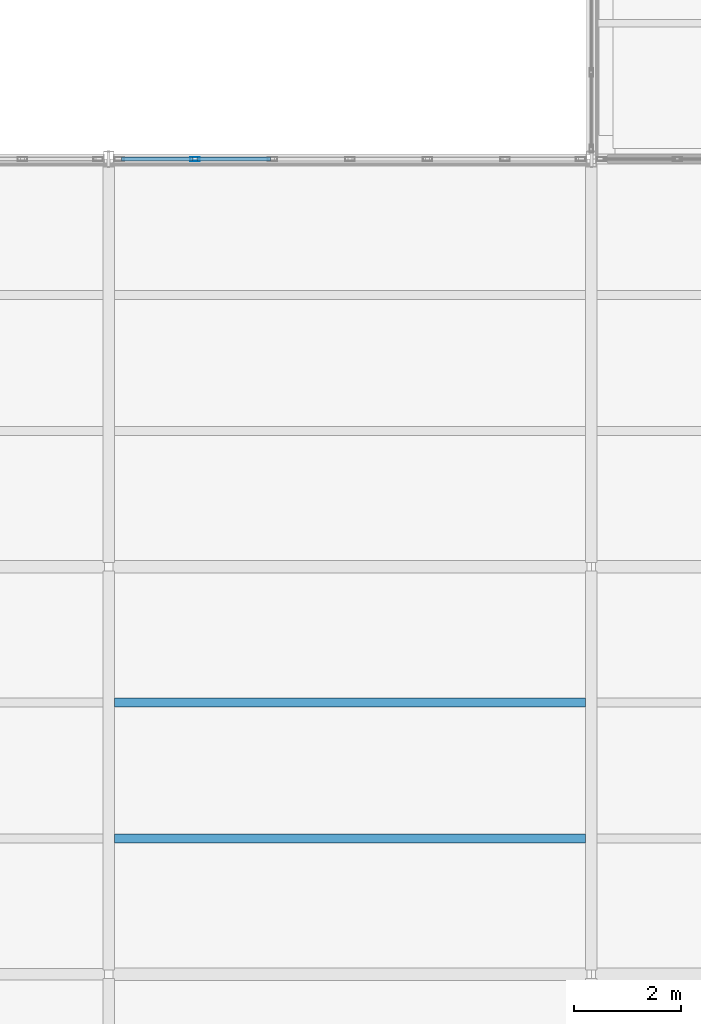
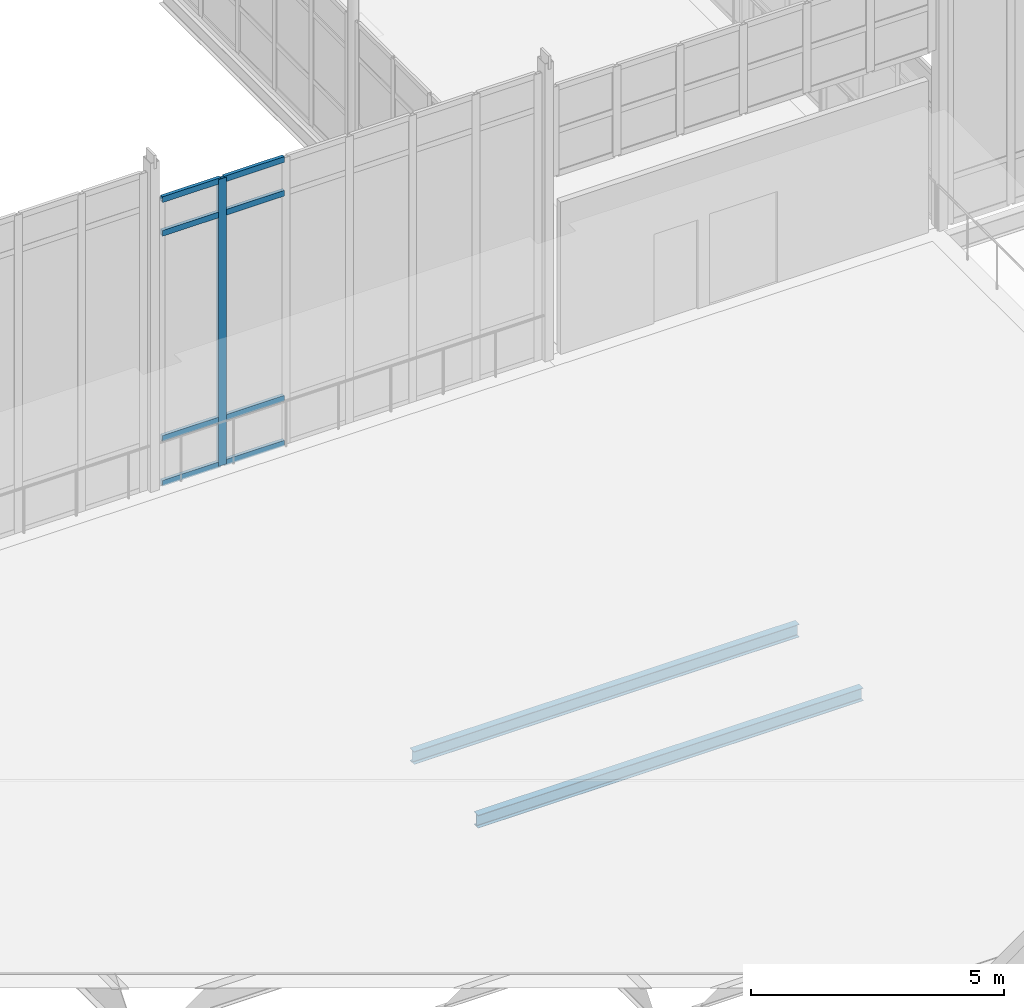
# One storey, part 52 of 166: 9 members, 2 beams, 1 element without a shape of its own.
"""IFC4 building model written with IfcOpenShell, lengths in metres."""

import ifcopenshell
import ifcopenshell.guid

model = None  # the IFC model being written
_history = None  # IfcOwnerHistory: only IFC2X3 demands one
_inside = {}  # id of a spatial element -> (the spatial element, [elements in it])
_under = {}  # id of a project, library or spatial element -> (it, [spatial elements below it])
_declared = {}  # id of a project -> (the project, [libraries it declares])
_typed = {}  # id of a type object -> (the type object, [elements of that type])
_made_of = {}  # id of a material, layer set ... -> (it, [elements and type objects made of it])


def new_model(schema):
    """Start an empty IFC model of exactly this schema.

    Asked for "IFC4X3", IfcOpenShell would pick the latest addendum, in which some entities
    have other attributes; the version numbers below select the first issue.
    IFC2X3 requires an IfcOwnerHistory on every rooted entity: one is made here for all.
    """
    global model, _history
    if schema == "IFC4X3":
        model = ifcopenshell.file(schema_version=(4, 3, 0, 0))
    else:
        model = ifcopenshell.file(schema=schema)
    _inside.clear()
    _under.clear()
    _declared.clear()
    _typed.clear()
    _made_of.clear()
    _history = None
    if model.schema == "IFC2X3":
        org = make("IfcOrganization", Name="unknown")
        user = make(
            "IfcPersonAndOrganization",
            ThePerson=make("IfcPerson", FamilyName="unknown"),
            TheOrganization=org,
        )
        app = make(
            "IfcApplication",
            ApplicationDeveloper=org,
            Version="unknown",
            ApplicationFullName="unknown",
            ApplicationIdentifier="unknown",
        )
        _history = make(
            "IfcOwnerHistory",
            OwningUser=user,
            OwningApplication=app,
            ChangeAction="ADDED",
            CreationDate=0,
        )
    return model


def make(cls, **values):
    """One entity of the class cls with the attributes given. An attribute that is None is left unset."""
    return model.create_entity(
        cls, **{name: value for name, value in values.items() if value is not None}
    )


def rooted(cls, **values):
    """An entity with a GlobalId (a new one), such as an element, a storey or a relation."""
    return make(cls, GlobalId=ifcopenshell.guid.new(), OwnerHistory=_history, **values)


def si_unit(unit_type, name, prefix=None):
    """IfcSIUnit, for example si_unit("LENGTHUNIT", "METRE", prefix="MILLI")."""
    return make("IfcSIUnit", UnitType=unit_type, Prefix=prefix, Name=name)


def assignment(units):
    """IfcUnitAssignment: the units of a project."""
    return None if units is None else make("IfcUnitAssignment", Units=units)


def point(xyz):
    """IfcCartesianPoint."""
    return None if xyz is None else make("IfcCartesianPoint", Coordinates=xyz)


def direction(xyz):
    """IfcDirection."""
    return None if xyz is None else make("IfcDirection", DirectionRatios=xyz)


def frame(location, z_axis=None, x_axis=None):
    """IfcAxis2Placement3D, a coordinate frame: its origin and axes. An axis left out is left unset."""
    return make(
        "IfcAxis2Placement3D",
        Location=point(location),
        Axis=direction(z_axis),
        RefDirection=direction(x_axis),
    )


def frame_2d(location, x_axis=None):
    """IfcAxis2Placement2D, a coordinate frame in the plane: its origin and x axis."""
    return make(
        "IfcAxis2Placement2D", Location=point(location), RefDirection=direction(x_axis)
    )


def origin():
    """The frame at (0, 0, 0) with its axes left unset."""
    return frame((0.0, 0.0, 0.0))


def origin_2d():
    """The frame at (0, 0) in the plane with its x axis left unset."""
    return frame_2d((0.0, 0.0))


def place(relative_to, where):
    """IfcLocalPlacement: puts the frame where relative to a parent placement (None: the world)."""
    return make(
        "IfcLocalPlacement", PlacementRelTo=relative_to, RelativePlacement=where
    )


def context(
    kind, dimensions, precision=None, world=None, true_north=None, identifier=None
):
    """IfcGeometricRepresentationContext, for example the 3D "Model" context."""
    return make(
        "IfcGeometricRepresentationContext",
        ContextIdentifier=identifier,
        ContextType=kind,
        CoordinateSpaceDimension=dimensions,
        Precision=precision,
        WorldCoordinateSystem=world,
        TrueNorth=true_north,
    )


def subcontext(parent, identifier, kind, view, scale=None):
    """IfcGeometricRepresentationSubContext, for example "Body" below "Model"."""
    return make(
        "IfcGeometricRepresentationSubContext",
        ContextIdentifier=identifier,
        ContextType=kind,
        ParentContext=parent,
        TargetScale=scale,
        TargetView=view,
    )


def project(units=None, contexts=None):
    """IfcProject with its units and contexts."""
    return rooted(
        "IfcProject",
        Name="project",
        RepresentationContexts=contexts,
        UnitsInContext=assignment(units),
    )


def spatial(cls, under=None, at=None, **own):
    """A site, building, storey or space (cls), placed at a placement, below another one or the project."""
    s = rooted(cls, ObjectPlacement=at, **own)
    if under is not None:
        _under.setdefault(under.id(), (under, []))[1].append(s)
    return s


def profile(cls, at=None, kind="AREA", **sizes):
    """A parametric profile (cls). Its sizes go by their IFC names, for example OverallWidth=200.0."""
    return make(cls, ProfileType=kind, Position=at, **sizes)


def hollow_rectangle(**sizes):
    """IfcRectangleHollowProfileDef."""
    return profile("IfcRectangleHollowProfileDef", **sizes)


def i_section(**sizes):
    """IfcIShapeProfileDef."""
    return profile("IfcIShapeProfileDef", **sizes)


def extrude(swept, where, along, depth):
    """IfcExtrudedAreaSolid: the profile swept, set in the frame where, extruded along a direction by depth."""
    return make(
        "IfcExtrudedAreaSolid",
        SweptArea=swept,
        Position=where,
        ExtrudedDirection=direction(along),
        Depth=depth,
    )


def shape(context_of_items, identifier, shape_type, items):
    """IfcShapeRepresentation: the items that make up one representation, for example the "Body"."""
    return make(
        "IfcShapeRepresentation",
        ContextOfItems=context_of_items,
        RepresentationIdentifier=identifier,
        RepresentationType=shape_type,
        Items=items,
    )


def material(Name=None, Category=None):
    """IfcMaterial."""
    return make("IfcMaterial", Name=Name, Category=Category)


def material_profile(
    of_material, cross_section, Name=None, Category=None, Priority=None
):
    """IfcMaterialProfile: a cross section and its material."""
    return make(
        "IfcMaterialProfile",
        Name=Name,
        Material=of_material,
        Profile=cross_section,
        Priority=Priority,
        Category=Category,
    )


def profile_set(profiles, Name=None, composite=None):
    """IfcMaterialProfileSet."""
    return make(
        "IfcMaterialProfileSet",
        Name=Name,
        MaterialProfiles=profiles,
        CompositeProfile=composite,
    )


def made_of(thing, what):
    """Note that an element or type object is made of a material, layer set ...; save() writes the relation."""
    if what is not None:
        _made_of.setdefault(what.id(), (what, []))[1].append(thing)
    return thing


def type_object(cls, material=None, **own):
    """A type object (cls), such as IfcWallType, which elements share."""
    return made_of(rooted(cls, **own), material)


def element(
    cls,
    number,
    at=None,
    inside=None,
    cuts=None,
    type_object=None,
    material=None,
    context=None,
    identifier="Body",
    shape_type=None,
    held_by="IfcProductDefinitionShape",
    body=None,
    shapes=None,
    **own,
):
    """One element of the class cls, such as IfcWall. Its Tag is "e" and its number.

    at: its placement. inside: the storey or other place that contains it. cuts: it is an
    opening in that element (IfcRelVoidsElement). A single representation is given by context,
    identifier, shape_type and body (its items); several are given by shapes. held_by: the class
    of the entity that holds the representations. save() writes the other relations.
    """
    e = rooted(cls, Tag="e%d" % number, ObjectPlacement=at, **own)
    if body is not None:
        shapes = [shape(context, identifier, shape_type, body)]
    if shapes is not None:
        e.Representation = make(held_by, Representations=shapes)
    if inside is not None:
        _inside.setdefault(inside.id(), (inside, []))[1].append(e)
    if cuts is not None:
        rooted(
            "IfcRelVoidsElement", RelatingBuildingElement=cuts, RelatedOpeningElement=e
        )
    if type_object is not None:
        _typed.setdefault(type_object.id(), (type_object, []))[1].append(e)
    return made_of(e, material)


def aggregate(whole, parts):
    """IfcRelAggregates: a whole, such as a stair, and the parts it consists of."""
    return rooted("IfcRelAggregates", RelatingObject=whole, RelatedObjects=parts)


def save(model, path):
    """Write the relations noted so far, then the file.

    IfcRelAggregates (storeys below a building ...), IfcRelContainedInSpatialStructure (elements
    in a storey), IfcRelDefinesByType, IfcRelAssociatesMaterial and IfcRelDeclares: one each for
    every whole, place, type object, material and project.
    """
    for whole, parts in _under.values():
        aggregate(whole, parts)
    for where, things in _inside.values():
        rooted(
            "IfcRelContainedInSpatialStructure",
            RelatedElements=things,
            RelatingStructure=where,
        )
    for kind, things in _typed.values():
        rooted("IfcRelDefinesByType", RelatedObjects=things, RelatingType=kind)
    for what, things in _made_of.values():
        rooted("IfcRelAssociatesMaterial", RelatedObjects=things, RelatingMaterial=what)
    for by, libraries in _declared.values():
        rooted("IfcRelDeclares", RelatingContext=by, RelatedDefinitions=libraries)
    model.write(path)


model = new_model("IFC4")

# Units and contexts
model_context = context("Model", 3, precision=1e-05, world=origin(), true_north=direction((0.0, 1.0)))
body_context = subcontext(model_context, "Body", "Model", "MODEL_VIEW")
ifc_project = project(units=[si_unit("LENGTHUNIT", "METRE"), si_unit("AREAUNIT", "SQUARE_METRE"), si_unit("VOLUMEUNIT", "CUBIC_METRE"), si_unit("PLANEANGLEUNIT", "RADIAN"), si_unit("MASSUNIT", "GRAM", prefix="KILO")], contexts=[model_context])

# Site, building, storey
site_placement = place(None, origin())
site = spatial("IfcSite", under=ifc_project, at=site_placement, CompositionType="ELEMENT")
building_placement = place(site_placement, origin())
building = spatial("IfcBuilding", under=site, at=building_placement, Name="Caisbarro Railhouse Central Library", CompositionType="ELEMENT")
storey_placement = place(building_placement, frame((0.0, 0.0, 9.360107421875)))
storey = spatial("IfcBuildingStorey", under=building, at=storey_placement, Name="L02", CompositionType="ELEMENT", Elevation=9.360107421875)

# Beams
ifc_material_1 = material(Name="Steel ASTM A572 Grade 50", Category="steel")
ifc_material_profile_1 = material_profile(ifc_material_1, i_section(OverallWidth=0.1650390625, OverallDepth=0.31005859375, WebThickness=0.005859375, FlangeThickness=0.009765625, FilletRadius=0.011962890625, at=origin_2d()), Name="W310X38.7")
ifc_profile_set_1 = profile_set([ifc_material_profile_1], Name="Steel ASTM A572 Grade 50")
beam_type = type_object("IfcBeamType", Name="BM-J03", PredefinedType="JOIST", material=ifc_profile_set_1)
for number, where, z_axis, x_axis, name in (
    (1, (45.1044921875, 48.13330078125, -0.375), (1.0, 0.0, 0.0), (0.0, 1.0, 0.0), "J03 beam L02 #1462"),
    (2, (45.1044921875, 50.666748046875, -0.375), (1.0, 0.0, 0.0), (0.0, 1.0, 0.0), "J03 beam L02 #1463"),
):
    element("IfcBeam", number, at=place(storey_placement, frame(where, z_axis=z_axis, x_axis=x_axis)), inside=storey, type_object=beam_type, Name=name, PredefinedType="JOIST", context=body_context, shape_type="SweptSolid", body=[
        extrude(i_section(OverallWidth=0.1650390625, OverallDepth=0.31005859375, WebThickness=0.005859375, FlangeThickness=0.009765625, FilletRadius=0.011962890625, at=origin_2d()), origin(), (0.0, 0.0, 1.0), 8.791015625),
    ])

# Curtain wall, members
ifc_material_2 = material(Name="Anodised architectural aluminium", Category="aluminium")
curtain_wall_type = type_object("IfcCurtainWallType", Name="CW-CW04", PredefinedType="NOTDEFINED", material=ifc_material_2)
curtain_wall_placement = place(storey_placement, origin())
curtain_wall = element("IfcCurtainWall", 3, at=curtain_wall_placement, inside=storey, type_object=curtain_wall_type, Name="CW04 curtain wall L02 #16", PredefinedType="NOTDEFINED")
ifc_material_profile_2 = material_profile(ifc_material_2, hollow_rectangle(XDim=0.074951171875, YDim=0.179931640625, WallThickness=0.00439453125, at=origin_2d()), Name="ALU-MUL-75X180")
ifc_profile_set_2 = profile_set([ifc_material_profile_2], Name="Anodised architectural aluminium")
member_type_1 = type_object("IfcMemberType", Name="CWM-M01", PredefinedType="MULLION", material=ifc_profile_set_2)
member_1_placement = place(storey_placement, frame((46.606689453125, 60.800048828125, 0.0), z_axis=(0.0, 0.0, 1.0), x_axis=(0.0, 1.0, 0.0)))
member_1 = element("IfcMember", 4, at=member_1_placement, type_object=member_type_1, Name="CW04 mullion 2", PredefinedType="MULLION", context=body_context, shape_type="SweptSolid", body=[
    extrude(hollow_rectangle(XDim=0.074951171875, YDim=0.179931640625, WallThickness=0.00439453125, at=origin_2d()), origin(), (0.0, 0.0, 1.0), 6.919921875),
])
ifc_material_profile_3 = material_profile(ifc_material_2, hollow_rectangle(XDim=0.074951171875, YDim=0.139892578125, WallThickness=0.00390625, at=origin_2d()), Name="ALU-TRN-75X140")
ifc_profile_set_3 = profile_set([ifc_material_profile_3], Name="Anodised architectural aluminium")
member_type_2 = type_object("IfcMemberType", Name="CWT-T01", PredefinedType="USERDEFINED", material=ifc_profile_set_3)
member_2_placement = place(storey_placement, frame((45.235107421875, 60.800048828125, 0.037353515625), z_axis=(1.0, 0.0, 0.0), x_axis=(0.0, 1.0, 0.0)))
member_2 = element("IfcMember", 5, at=member_2_placement, type_object=member_type_2, Name="CW04 transom 1.1", ObjectType="TRANSOM", PredefinedType="USERDEFINED", context=body_context, shape_type="SweptSolid", body=[
    extrude(hollow_rectangle(XDim=0.074951171875, YDim=0.139892578125, WallThickness=0.00390625, at=origin_2d()), origin(), (0.0, 0.0, 1.0), 1.333984375),
])
member_3_placement = place(storey_placement, frame((45.235107421875, 60.800048828125, 1.119873046875), z_axis=(1.0, 0.0, 0.0), x_axis=(0.0, 1.0, 0.0)))
member_3 = element("IfcMember", 6, at=member_3_placement, type_object=member_type_2, Name="CW04 transom 1.2", ObjectType="TRANSOM", PredefinedType="USERDEFINED", context=body_context, shape_type="SweptSolid", body=[
    extrude(hollow_rectangle(XDim=0.074951171875, YDim=0.139892578125, WallThickness=0.00390625, at=origin_2d()), origin(), (0.0, 0.0, 1.0), 1.333984375),
])
member_4_placement = place(storey_placement, frame((45.235107421875, 60.800048828125, 6.06982421875), z_axis=(1.0, 0.0, 0.0), x_axis=(0.0, 1.0, 0.0)))
member_4 = element("IfcMember", 7, at=member_4_placement, type_object=member_type_2, Name="CW04 transom 1.3", ObjectType="TRANSOM", PredefinedType="USERDEFINED", context=body_context, shape_type="SweptSolid", body=[
    extrude(hollow_rectangle(XDim=0.074951171875, YDim=0.139892578125, WallThickness=0.00390625, at=origin_2d()), origin(), (0.0, 0.0, 1.0), 1.333984375),
])
member_5_placement = place(storey_placement, frame((45.235107421875, 60.800048828125, 6.88232421875), z_axis=(1.0, 0.0, 0.0), x_axis=(0.0, 1.0, 0.0)))
member_5 = element("IfcMember", 8, at=member_5_placement, type_object=member_type_2, Name="CW04 transom 1.4", ObjectType="TRANSOM", PredefinedType="USERDEFINED", context=body_context, shape_type="SweptSolid", body=[
    extrude(hollow_rectangle(XDim=0.074951171875, YDim=0.139892578125, WallThickness=0.00390625, at=origin_2d()), origin(), (0.0, 0.0, 1.0), 1.333984375),
])
member_6_placement = place(storey_placement, frame((46.644287109375, 60.800048828125, 0.037353515625), z_axis=(1.0, 0.0, 0.0), x_axis=(0.0, 1.0, 0.0)))
member_6 = element("IfcMember", 9, at=member_6_placement, type_object=member_type_2, Name="CW04 transom 2.1", ObjectType="TRANSOM", PredefinedType="USERDEFINED", context=body_context, shape_type="SweptSolid", body=[
    extrude(hollow_rectangle(XDim=0.074951171875, YDim=0.139892578125, WallThickness=0.00390625, at=origin_2d()), origin(), (0.0, 0.0, 1.0), 1.37158203125),
])
member_7_placement = place(storey_placement, frame((46.644287109375, 60.800048828125, 1.119873046875), z_axis=(1.0, 0.0, 0.0), x_axis=(0.0, 1.0, 0.0)))
member_7 = element("IfcMember", 10, at=member_7_placement, type_object=member_type_2, Name="CW04 transom 2.2", ObjectType="TRANSOM", PredefinedType="USERDEFINED", context=body_context, shape_type="SweptSolid", body=[
    extrude(hollow_rectangle(XDim=0.074951171875, YDim=0.139892578125, WallThickness=0.00390625, at=origin_2d()), origin(), (0.0, 0.0, 1.0), 1.37158203125),
])
member_8_placement = place(storey_placement, frame((46.644287109375, 60.800048828125, 6.06982421875), z_axis=(1.0, 0.0, 0.0), x_axis=(0.0, 1.0, 0.0)))
member_8 = element("IfcMember", 11, at=member_8_placement, type_object=member_type_2, Name="CW04 transom 2.3", ObjectType="TRANSOM", PredefinedType="USERDEFINED", context=body_context, shape_type="SweptSolid", body=[
    extrude(hollow_rectangle(XDim=0.074951171875, YDim=0.139892578125, WallThickness=0.00390625, at=origin_2d()), origin(), (0.0, 0.0, 1.0), 1.37158203125),
])
member_9_placement = place(storey_placement, frame((46.644287109375, 60.800048828125, 6.88232421875), z_axis=(1.0, 0.0, 0.0), x_axis=(0.0, 1.0, 0.0)))
member_9 = element("IfcMember", 12, at=member_9_placement, type_object=member_type_2, Name="CW04 transom 2.4", ObjectType="TRANSOM", PredefinedType="USERDEFINED", context=body_context, shape_type="SweptSolid", body=[
    extrude(hollow_rectangle(XDim=0.074951171875, YDim=0.139892578125, WallThickness=0.00390625, at=origin_2d()), origin(), (0.0, 0.0, 1.0), 1.37158203125),
])
aggregate(curtain_wall, [member_1, member_2, member_3, member_4, member_5, member_6, member_7, member_8, member_9])

save(model, "model.ifc")
